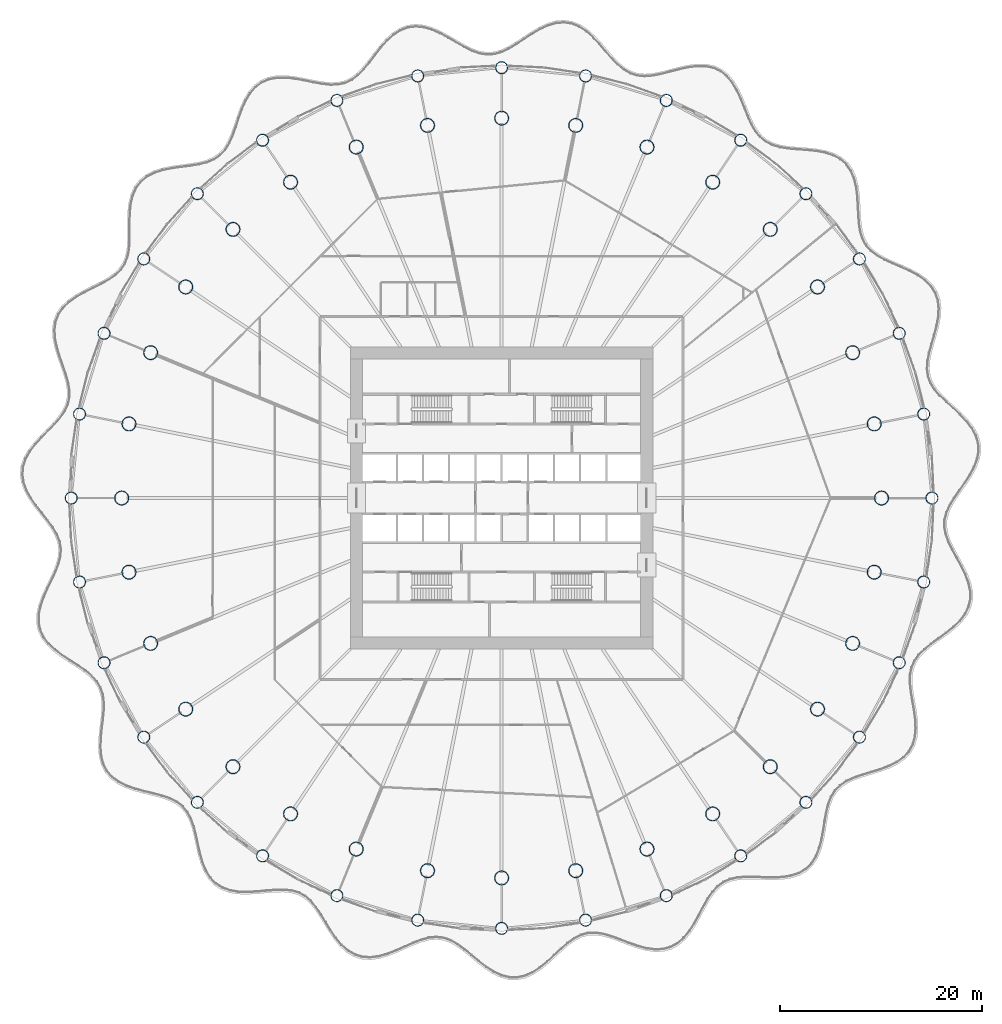
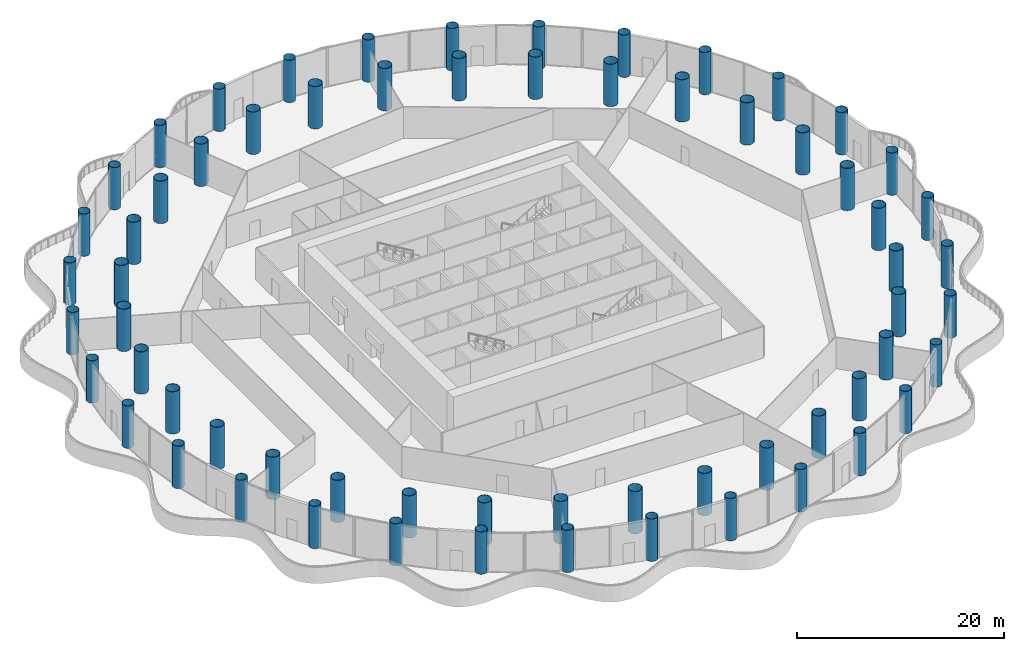
# One storey, part 1 of 35: 64 columns.
"""IFC4 building model written with IfcOpenShell, lengths in metres."""

from ifc_helpers import new_model, si_unit, direction, frame, origin, origin_2d, place, context, subcontext, project, spatial, hollow_circle, extrude, material, material_profile, profile_set, type_object, element, save


model = new_model("IFC4")

# Units and contexts
model_context = context("Model", 3, precision=1e-05, world=origin(), true_north=direction((0.0, 1.0)))
body_context = subcontext(model_context, "Body", "Model", "MODEL_VIEW")
ifc_project = project(units=[si_unit("LENGTHUNIT", "METRE"), si_unit("AREAUNIT", "SQUARE_METRE"), si_unit("VOLUMEUNIT", "CUBIC_METRE"), si_unit("PLANEANGLEUNIT", "RADIAN"), si_unit("MASSUNIT", "GRAM", prefix="KILO")], contexts=[model_context])

# Site, building, storey
site_placement = place(None, origin())
site = spatial("IfcSite", under=ifc_project, at=site_placement, CompositionType="ELEMENT")
building_placement = place(site_placement, origin())
building = spatial("IfcBuilding", under=site, at=building_placement, Name="Corvane Civic Tower", CompositionType="ELEMENT")
storey_placement = place(building_placement, frame((0.0, 0.0, 27.0)))
storey = spatial("IfcBuildingStorey", under=building, at=storey_placement, Name="L05", CompositionType="ELEMENT", Elevation=27.0)

# Columns
ifc_material_1 = material(Name="Steel ASTM A572 Gr 50", Category="steel")
ifc_material_profile_1 = material_profile(ifc_material_1, hollow_circle(Radius=0.60009765625, WallThickness=0.035888671875, at=origin_2d()), Name="CHS1200X36")
ifc_profile_set_1 = profile_set([ifc_material_profile_1], Name="Steel ASTM A572 Gr 50")
column_type_1 = type_object("IfcColumnType", Name="COMPOSITE COLUMN CHS1200X36", PredefinedType="COLUMN", material=ifc_profile_set_1)
for number, where, z_axis, x_axis, name in (
    (1, (0.0, 42.699951171875, 0.0), (0.0, 0.0, 1.0), (1.0, 0.0, 0.0), "COL-L05-G01"),
    (2, (8.330322265625, 41.879638671875, 0.0), (0.0, 0.0, 1.0), (1.0, 0.0, 0.0), "COL-L05-G02"),
    (3, (16.340576171875, 39.44970703125, 0.0), (0.0, 0.0, 1.0), (1.0, 0.0, 0.0), "COL-L05-G03"),
    (4, (23.722900390625, 35.503662109375, 0.0), (0.0, 0.0, 1.0), (1.0, 0.0, 0.0), "COL-L05-G04"),
    (5, (30.193359375, 30.193359375, 0.0), (0.0, 0.0, 1.0), (1.0, 0.0, 0.0), "COL-L05-G05"),
    (6, (35.503662109375, 23.722900390625, 0.0), (0.0, 0.0, 1.0), (1.0, 0.0, 0.0), "COL-L05-G06"),
    (7, (39.44970703125, 16.340576171875, 0.0), (0.0, 0.0, 1.0), (1.0, 0.0, 0.0), "COL-L05-G07"),
    (8, (41.879638671875, 8.330322265625, 0.0), (0.0, 0.0, 1.0), (1.0, 0.0, 0.0), "COL-L05-G08"),
    (9, (42.699951171875, 0.0, 0.0), (0.0, 0.0, 1.0), (1.0, 0.0, 0.0), "COL-L05-G09"),
    (10, (41.879638671875, -8.330322265625, 0.0), (0.0, 0.0, 1.0), (1.0, 0.0, 0.0), "COL-L05-G10"),
    (11, (39.44970703125, -16.340576171875, 0.0), (0.0, 0.0, 1.0), (1.0, 0.0, 0.0), "COL-L05-G11"),
    (12, (35.503662109375, -23.722900390625, 0.0), (0.0, 0.0, 1.0), (1.0, 0.0, 0.0), "COL-L05-G12"),
    (13, (30.193359375, -30.193359375, 0.0), (0.0, 0.0, 1.0), (1.0, 0.0, 0.0), "COL-L05-G13"),
    (14, (23.722900390625, -35.503662109375, 0.0), (0.0, 0.0, 1.0), (1.0, 0.0, 0.0), "COL-L05-G14"),
    (15, (16.340576171875, -39.44970703125, 0.0), (0.0, 0.0, 1.0), (1.0, 0.0, 0.0), "COL-L05-G15"),
    (16, (8.330322265625, -41.879638671875, 0.0), (0.0, 0.0, 1.0), (1.0, 0.0, 0.0), "COL-L05-G16"),
    (17, (0.0, -42.699951171875, 0.0), (0.0, 0.0, 1.0), (1.0, 0.0, 0.0), "COL-L05-G17"),
    (18, (-8.330322265625, -41.879638671875, 0.0), (0.0, 0.0, 1.0), (1.0, 0.0, 0.0), "COL-L05-G18"),
    (19, (-16.340576171875, -39.44970703125, 0.0), (0.0, 0.0, 1.0), (1.0, 0.0, 0.0), "COL-L05-G19"),
    (20, (-23.722900390625, -35.503662109375, 0.0), (0.0, 0.0, 1.0), (1.0, 0.0, 0.0), "COL-L05-G20"),
    (21, (-30.193359375, -30.193359375, 0.0), (0.0, 0.0, 1.0), (1.0, 0.0, 0.0), "COL-L05-G21"),
    (22, (-35.503662109375, -23.722900390625, 0.0), (0.0, 0.0, 1.0), (1.0, 0.0, 0.0), "COL-L05-G22"),
    (23, (-39.44970703125, -16.340576171875, 0.0), (0.0, 0.0, 1.0), (1.0, 0.0, 0.0), "COL-L05-G23"),
    (24, (-41.879638671875, -8.330322265625, 0.0), (0.0, 0.0, 1.0), (1.0, 0.0, 0.0), "COL-L05-G24"),
    (25, (-42.699951171875, 0.0, 0.0), (0.0, 0.0, 1.0), (1.0, 0.0, 0.0), "COL-L05-G25"),
    (26, (-41.879638671875, 8.330322265625, 0.0), (0.0, 0.0, 1.0), (1.0, 0.0, 0.0), "COL-L05-G26"),
    (27, (-39.44970703125, 16.340576171875, 0.0), (0.0, 0.0, 1.0), (1.0, 0.0, 0.0), "COL-L05-G27"),
    (28, (-35.503662109375, 23.722900390625, 0.0), (0.0, 0.0, 1.0), (1.0, 0.0, 0.0), "COL-L05-G28"),
    (29, (-30.193359375, 30.193359375, 0.0), (0.0, 0.0, 1.0), (1.0, 0.0, 0.0), "COL-L05-G29"),
    (30, (-23.722900390625, 35.503662109375, 0.0), (0.0, 0.0, 1.0), (1.0, 0.0, 0.0), "COL-L05-G30"),
    (31, (-16.340576171875, 39.44970703125, 0.0), (0.0, 0.0, 1.0), (1.0, 0.0, 0.0), "COL-L05-G31"),
    (32, (-8.330322265625, 41.879638671875, 0.0), (0.0, 0.0, 1.0), (1.0, 0.0, 0.0), "COL-L05-G32"),
):
    element("IfcColumn", number, at=place(storey_placement, frame(where, z_axis=z_axis, x_axis=x_axis)), inside=storey, type_object=column_type_1, Name=name, PredefinedType="COLUMN", context=body_context, shape_type="SweptSolid", body=[
        extrude(hollow_circle(Radius=0.60009765625, WallThickness=0.035888671875, at=origin_2d()), origin(), (0.0, 0.0, 1.0), 5.0),
    ])
ifc_material_2 = material(Name="Steel ASTM A572 Gr 50", Category="steel")
ifc_material_profile_2 = material_profile(ifc_material_2, hollow_circle(Radius=0.699951171875, WallThickness=0.0400390625, at=origin_2d()), Name="CHS1400X40")
ifc_profile_set_2 = profile_set([ifc_material_profile_2], Name="Steel ASTM A572 Gr 50")
column_type_2 = type_object("IfcColumnType", Name="COMPOSITE COLUMN CHS1400X40", PredefinedType="COLUMN", material=ifc_profile_set_2)
for number, where, z_axis, x_axis, name in (
    (33, (0.0, 37.699951171875, 0.0), (0.0, 0.0, 1.0), (1.0, 0.0, 0.0), "COL-L05-A01"),
    (34, (7.35498046875, 36.9755859375, 0.0), (0.0, 0.0, 1.0), (1.0, 0.0, 0.0), "COL-L05-A02"),
    (35, (14.42724609375, 34.830322265625, 0.0), (0.0, 0.0, 1.0), (1.0, 0.0, 0.0), "COL-L05-A03"),
    (36, (20.945068359375, 31.346435546875, 0.0), (0.0, 0.0, 1.0), (1.0, 0.0, 0.0), "COL-L05-A04"),
    (37, (26.657958984375, 26.657958984375, 0.0), (0.0, 0.0, 1.0), (1.0, 0.0, 0.0), "COL-L05-A05"),
    (38, (31.346435546875, 20.945068359375, 0.0), (0.0, 0.0, 1.0), (1.0, 0.0, 0.0), "COL-L05-A06"),
    (39, (34.830322265625, 14.42724609375, 0.0), (0.0, 0.0, 1.0), (1.0, 0.0, 0.0), "COL-L05-A07"),
    (40, (36.9755859375, 7.35498046875, 0.0), (0.0, 0.0, 1.0), (1.0, 0.0, 0.0), "COL-L05-A08"),
    (41, (37.699951171875, 0.0, 0.0), (0.0, 0.0, 1.0), (1.0, 0.0, 0.0), "COL-L05-A09"),
    (42, (36.9755859375, -7.35498046875, 0.0), (0.0, 0.0, 1.0), (1.0, 0.0, 0.0), "COL-L05-A10"),
    (43, (34.830322265625, -14.42724609375, 0.0), (0.0, 0.0, 1.0), (1.0, 0.0, 0.0), "COL-L05-A11"),
    (44, (31.346435546875, -20.945068359375, 0.0), (0.0, 0.0, 1.0), (1.0, 0.0, 0.0), "COL-L05-A12"),
    (45, (26.657958984375, -26.657958984375, 0.0), (0.0, 0.0, 1.0), (1.0, 0.0, 0.0), "COL-L05-A13"),
    (46, (20.945068359375, -31.346435546875, 0.0), (0.0, 0.0, 1.0), (1.0, 0.0, 0.0), "COL-L05-A14"),
    (47, (14.42724609375, -34.830322265625, 0.0), (0.0, 0.0, 1.0), (1.0, 0.0, 0.0), "COL-L05-A15"),
    (48, (7.35498046875, -36.9755859375, 0.0), (0.0, 0.0, 1.0), (1.0, 0.0, 0.0), "COL-L05-A16"),
    (49, (0.0, -37.699951171875, 0.0), (0.0, 0.0, 1.0), (1.0, 0.0, 0.0), "COL-L05-A17"),
    (50, (-7.35498046875, -36.9755859375, 0.0), (0.0, 0.0, 1.0), (1.0, 0.0, 0.0), "COL-L05-A18"),
    (51, (-14.42724609375, -34.830322265625, 0.0), (0.0, 0.0, 1.0), (1.0, 0.0, 0.0), "COL-L05-A19"),
    (52, (-20.945068359375, -31.346435546875, 0.0), (0.0, 0.0, 1.0), (1.0, 0.0, 0.0), "COL-L05-A20"),
    (53, (-26.657958984375, -26.657958984375, 0.0), (0.0, 0.0, 1.0), (1.0, 0.0, 0.0), "COL-L05-A21"),
    (54, (-31.346435546875, -20.945068359375, 0.0), (0.0, 0.0, 1.0), (1.0, 0.0, 0.0), "COL-L05-A22"),
    (55, (-34.830322265625, -14.42724609375, 0.0), (0.0, 0.0, 1.0), (1.0, 0.0, 0.0), "COL-L05-A23"),
    (56, (-36.9755859375, -7.35498046875, 0.0), (0.0, 0.0, 1.0), (1.0, 0.0, 0.0), "COL-L05-A24"),
    (57, (-37.699951171875, 0.0, 0.0), (0.0, 0.0, 1.0), (1.0, 0.0, 0.0), "COL-L05-A25"),
    (58, (-36.9755859375, 7.35498046875, 0.0), (0.0, 0.0, 1.0), (1.0, 0.0, 0.0), "COL-L05-A26"),
    (59, (-34.830322265625, 14.42724609375, 0.0), (0.0, 0.0, 1.0), (1.0, 0.0, 0.0), "COL-L05-A27"),
    (60, (-31.346435546875, 20.945068359375, 0.0), (0.0, 0.0, 1.0), (1.0, 0.0, 0.0), "COL-L05-A28"),
    (61, (-26.657958984375, 26.657958984375, 0.0), (0.0, 0.0, 1.0), (1.0, 0.0, 0.0), "COL-L05-A29"),
    (62, (-20.945068359375, 31.346435546875, 0.0), (0.0, 0.0, 1.0), (1.0, 0.0, 0.0), "COL-L05-A30"),
    (63, (-14.42724609375, 34.830322265625, 0.0), (0.0, 0.0, 1.0), (1.0, 0.0, 0.0), "COL-L05-A31"),
    (64, (-7.35498046875, 36.9755859375, 0.0), (0.0, 0.0, 1.0), (1.0, 0.0, 0.0), "COL-L05-A32"),
):
    element("IfcColumn", number, at=place(storey_placement, frame(where, z_axis=z_axis, x_axis=x_axis)), inside=storey, type_object=column_type_2, Name=name, PredefinedType="COLUMN", context=body_context, shape_type="SweptSolid", body=[
        extrude(hollow_circle(Radius=0.699951171875, WallThickness=0.0400390625, at=origin_2d()), origin(), (0.0, 0.0, 1.0), 5.0),
    ])

save(model, "model.ifc")
